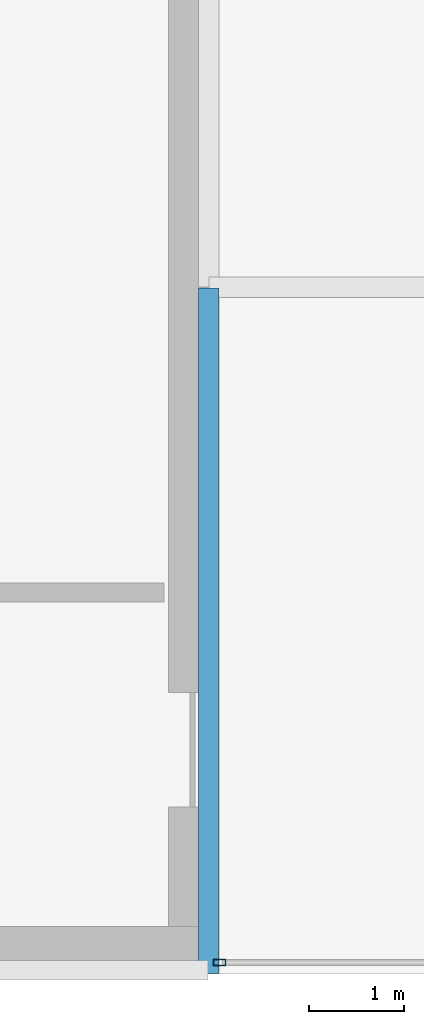
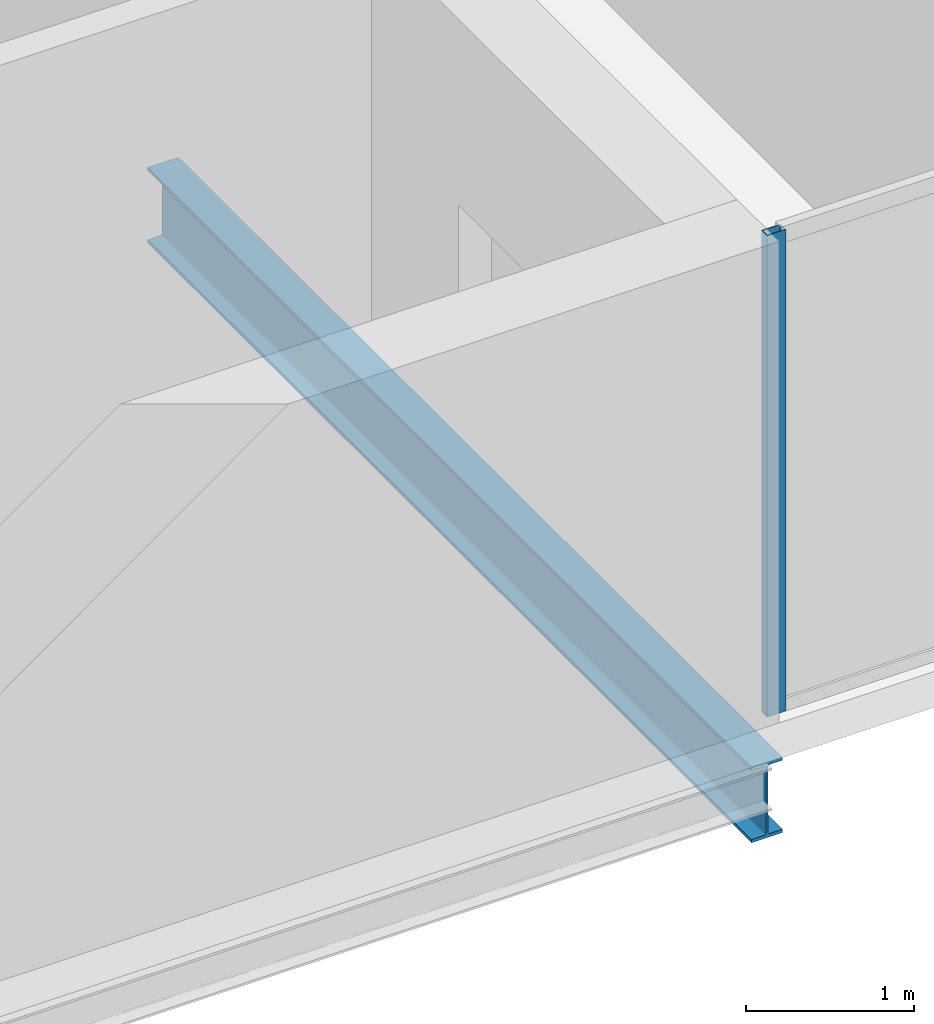
# One storey, part 2 of 15: 1 beam, 1 member, 1 element without a shape of its own.
"""IFC4 building model written with IfcOpenShell, lengths in metres."""

from ifc_helpers import new_model, si_unit, direction, frame, origin, origin_2d, place, context, subcontext, project, spatial, hollow_rectangle, i_section, extrude, material, material_profile, profile_set, type_object, element, aggregate, save


model = new_model("IFC4")

# Units and contexts
model_context = context("Model", 3, precision=1e-05, world=origin(), true_north=direction((0.0, 1.0)))
body_context = subcontext(model_context, "Body", "Model", "MODEL_VIEW")
ifc_project = project(units=[si_unit("LENGTHUNIT", "METRE"), si_unit("AREAUNIT", "SQUARE_METRE"), si_unit("VOLUMEUNIT", "CUBIC_METRE"), si_unit("PLANEANGLEUNIT", "RADIAN"), si_unit("MASSUNIT", "GRAM", prefix="KILO")], contexts=[model_context])

# Site, building, storey
site_placement = place(None, origin())
site = spatial("IfcSite", under=ifc_project, at=site_placement, CompositionType="ELEMENT")
building_placement = place(site_placement, origin())
building = spatial("IfcBuilding", under=site, at=building_placement, Name="Cobrela Telecom Tower", CompositionType="ELEMENT")
storey_placement = place(building_placement, frame((0.0, 0.0, 301.35009765625)))
storey = spatial("IfcBuildingStorey", under=building, at=storey_placement, Name="L79", CompositionType="ELEMENT", Elevation=301.35009765625)

# Beam
ifc_material_1 = material(Name="Steel ASTM A992 Grade 50", Category="steel")
ifc_material_profile_1 = material_profile(ifc_material_1, i_section(OverallWidth=0.212890625, OverallDepth=0.549072265625, WebThickness=0.0146484375, FlangeThickness=0.023681640625, FilletRadius=0.013916015625, at=origin_2d()), Name="W21X93")
ifc_profile_set_1 = profile_set([ifc_material_profile_1], Name="Steel ASTM A992 Grade 50")
beam_type = type_object("IfcBeamType", Name="BM-GIRD-08", PredefinedType="USERDEFINED", material=ifc_profile_set_1)
beam_placement = place(storey_placement, frame((14.320068359375, 7.205078125, -0.53466796875), z_axis=(0.0, 1.0, 0.0), x_axis=(-1.0, 0.0, 0.0)))
element("IfcBeam", 1, at=beam_placement, inside=storey, type_object=beam_type, Name="L79 Primary Girder Y09", ObjectType="GIRDER", PredefinedType="USERDEFINED", context=body_context, shape_type="SweptSolid", body=[
    extrude(i_section(OverallWidth=0.212890625, OverallDepth=0.549072265625, WebThickness=0.0146484375, FlangeThickness=0.023681640625, FilletRadius=0.013916015625, at=origin_2d()), origin(), (0.0, 0.0, 1.0), 7.18994140625),
])

# Curtain wall, member
ifc_material_2 = material(Name="Anodized Bronze Aluminium 6063-T6", Category="aluminium")
curtain_wall_type = type_object("IfcCurtainWallType", Name="CW-SYS-DRUM", PredefinedType="USERDEFINED", material=ifc_material_2)
curtain_wall_placement = place(storey_placement, origin())
curtain_wall = element("IfcCurtainWall", 2, at=curtain_wall_placement, inside=storey, type_object=curtain_wall_type, Name="L79 Unitised Bronze Curtain Wall 11", ObjectType="UNITISED CURTAIN WALL", PredefinedType="USERDEFINED")
ifc_material_profile_2 = material_profile(ifc_material_2, hollow_rectangle(XDim=0.06494140625, YDim=0.1298828125, WallThickness=0.00390625, at=origin_2d()), Name="ALU 65x130x4")
ifc_profile_set_2 = profile_set([ifc_material_profile_2], Name="Anodized Bronze Aluminium 6063-T6")
member_type = type_object("IfcMemberType", Name="CW-SYS-DRUM-MUL", PredefinedType="MULLION", material=ifc_profile_set_2)
member_placement = place(storey_placement, frame((14.4326171875, 7.320068359375, 0.0), z_axis=(0.0, 0.0, 1.0), x_axis=(0.0, -1.0, 0.0)))
member = element("IfcMember", 3, at=member_placement, type_object=member_type, Name="CW-DRUM mullion 3", PredefinedType="MULLION", context=body_context, shape_type="SweptSolid", body=[
    extrude(hollow_rectangle(XDim=0.06494140625, YDim=0.1298828125, WallThickness=0.00390625, at=origin_2d()), origin(), (0.0, 0.0, 1.0), 3.5),
])
aggregate(curtain_wall, [member])

save(model, "model.ifc")
